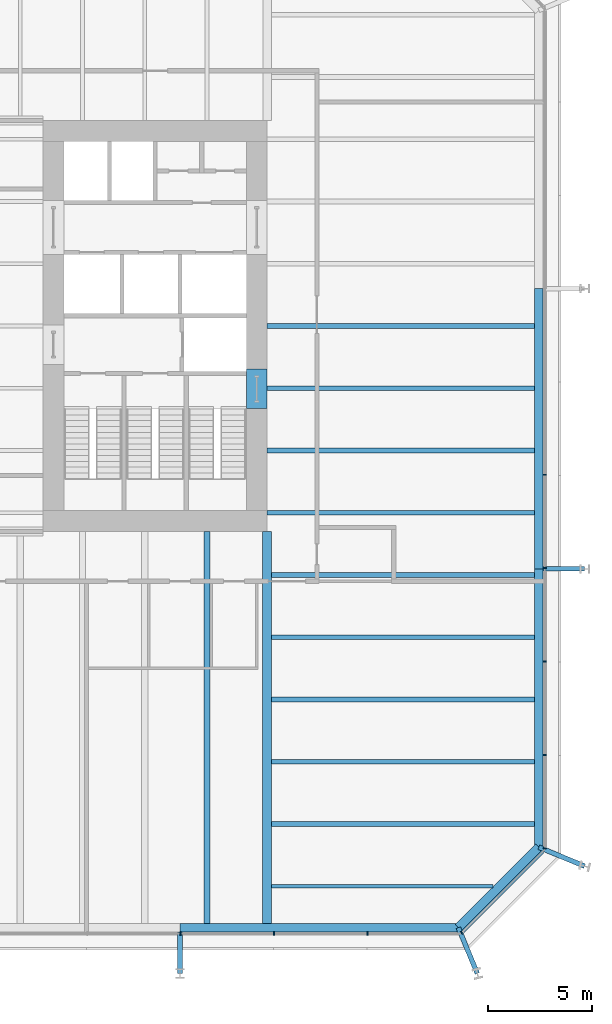
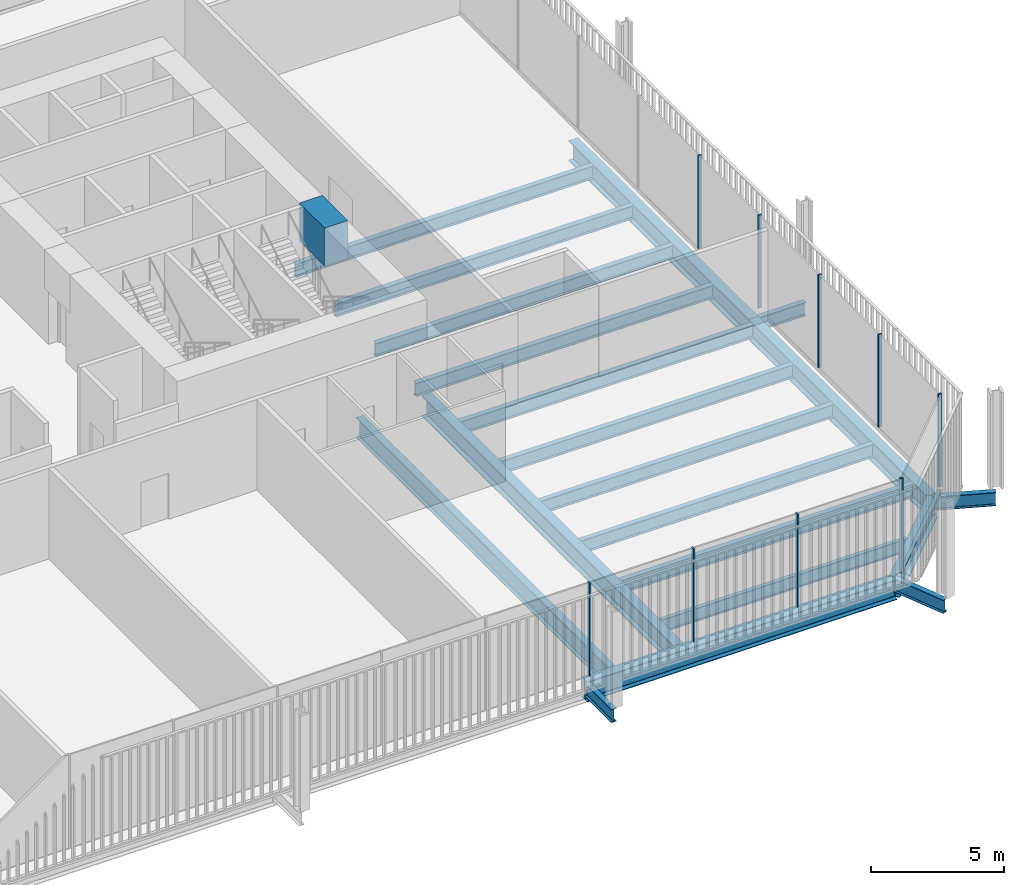
# One storey, part 8 of 20: 21 beams, 10 members, 3 elements without a shape of their own.
"""IFC4 building model written with IfcOpenShell, lengths in metres."""

from ifc_helpers import new_model, si_unit, direction, frame, origin, origin_2d, place, context, subcontext, project, spatial, rectangle, i_section, extrude, material, layer, layer_set, material_profile, profile_set, type_object, element, aggregate, save


model = new_model("IFC4")

# Units and contexts
model_context = context("Model", 3, precision=1e-05, world=origin(), true_north=direction((0.0, 1.0)))
body_context = subcontext(model_context, "Body", "Model", "MODEL_VIEW")
ifc_project = project(units=[si_unit("LENGTHUNIT", "METRE"), si_unit("AREAUNIT", "SQUARE_METRE"), si_unit("VOLUMEUNIT", "CUBIC_METRE"), si_unit("PLANEANGLEUNIT", "RADIAN"), si_unit("MASSUNIT", "GRAM", prefix="KILO")], contexts=[model_context])

# Site, building, storey
site_placement = place(None, origin())
site = spatial("IfcSite", under=ifc_project, at=site_placement, CompositionType="ELEMENT")
building_placement = place(site_placement, origin())
building = spatial("IfcBuilding", under=site, at=building_placement, Name="Millrace Tower", CompositionType="ELEMENT")
storey_placement = place(building_placement, frame((0.0, 0.0, 108.39990234375)))
storey = spatial("IfcBuildingStorey", under=building, at=storey_placement, Name="L24", CompositionType="ELEMENT", Elevation=108.39990234375)

# Curtain wall, members
ifc_material_1 = material(Name="Aluminium and glass", Category="aluminium")
ifc_layer = layer(ifc_material_1, 0.14990234375)
ifc_layer_set = layer_set([ifc_layer], Name="Aluminium and glass")
curtain_wall_type = type_object("IfcCurtainWallType", Name="CW-3 telecom floor curtain wall", PredefinedType="NOTDEFINED", material=ifc_layer_set)
placement = place(storey_placement, origin())
curtain_wall_1 = element("IfcCurtainWall", 1, at=placement, inside=storey, type_object=curtain_wall_type, Name="Curtain wall B-F02 L24", PredefinedType="NOTDEFINED")
ifc_material_2 = material(Name="Aluminium", Category="aluminium")
ifc_material_profile_1 = material_profile(ifc_material_2, rectangle(XDim=0.06494140625, YDim=0.14990234375, at=origin_2d()))
ifc_profile_set_1 = profile_set([ifc_material_profile_1], Name="Aluminium")
member_type_1 = type_object("IfcMemberType", Name="CW-3 telecom floor curtain wall mullion", PredefinedType="MULLION", material=ifc_profile_set_1)
member_1_placement = place(storey_placement, frame((10.732421875, -29.27490234375, 0.150146484375), z_axis=(0.0, 0.0, 1.0), x_axis=(1.0, 0.0, 0.0)))
member_1 = element("IfcMember", 2, at=member_1_placement, type_object=member_type_1, Name="CW3 mullion B-F02.7", PredefinedType="MULLION", context=body_context, shape_type="SweptSolid", body=[
    extrude(rectangle(XDim=0.06494140625, YDim=0.14990234375, at=origin_2d()), origin(), (0.0, 0.0, 1.0), 4.25),
])
member_2_placement = place(storey_placement, frame((15.232421875, -29.27490234375, 0.150146484375), z_axis=(0.0, 0.0, 1.0), x_axis=(1.0, 0.0, 0.0)))
member_2 = element("IfcMember", 3, at=member_2_placement, type_object=member_type_1, Name="CW3 mullion B-F02.8", PredefinedType="MULLION", context=body_context, shape_type="SweptSolid", body=[
    extrude(rectangle(XDim=0.06494140625, YDim=0.14990234375, at=origin_2d()), origin(), (0.0, 0.0, 1.0), 4.25),
])
member_3_placement = place(storey_placement, frame((19.732421875, -29.27490234375, 0.150146484375), z_axis=(0.0, 0.0, 1.0), x_axis=(1.0, 0.0, 0.0)))
member_3 = element("IfcMember", 4, at=member_3_placement, type_object=member_type_1, Name="CW3 mullion B-F02.9", PredefinedType="MULLION", context=body_context, shape_type="SweptSolid", body=[
    extrude(rectangle(XDim=0.06494140625, YDim=0.14990234375, at=origin_2d()), origin(), (0.0, 0.0, 1.0), 4.25),
])
aggregate(curtain_wall_1, [member_1, member_2, member_3])

# Curtain wall, member
curtain_wall_2 = element("IfcCurtainWall", 5, at=placement, inside=storey, type_object=curtain_wall_type, Name="Curtain wall B-F03 L24", PredefinedType="NOTDEFINED")
member_4_placement = place(storey_placement, frame((24.276123046875, -29.22998046875, 0.150146484375), z_axis=(0.0, 0.0, 1.0), x_axis=(0.707106781187, 0.707106781187, 0.0)))
member_4 = element("IfcMember", 6, at=member_4_placement, type_object=member_type_1, Name="CW3 mullion B-F03.1", PredefinedType="MULLION", context=body_context, shape_type="SweptSolid", body=[
    extrude(rectangle(XDim=0.06494140625, YDim=0.14990234375, at=origin_2d()), origin(), (0.0, 0.0, 1.0), 4.25),
])

# Curtain wall, members
curtain_wall_3 = element("IfcCurtainWall", 7, at=placement, inside=storey, type_object=curtain_wall_type, Name="Curtain wall B-F04 L24", PredefinedType="NOTDEFINED")
member_5_placement = place(storey_placement, frame((28.27490234375, -25.16748046875, 0.150146484375), z_axis=(0.0, 0.0, 1.0), x_axis=(0.0, 1.0, 0.0)))
member_5 = element("IfcMember", 8, at=member_5_placement, type_object=member_type_1, Name="CW3 mullion B-F04.1", PredefinedType="MULLION", context=body_context, shape_type="SweptSolid", body=[
    extrude(rectangle(XDim=0.06494140625, YDim=0.14990234375, at=origin_2d()), origin(), (0.0, 0.0, 1.0), 4.25),
])
member_6_placement = place(storey_placement, frame((28.27490234375, -20.66748046875, 0.150146484375), z_axis=(0.0, 0.0, 1.0), x_axis=(0.0, 1.0, 0.0)))
member_6 = element("IfcMember", 9, at=member_6_placement, type_object=member_type_1, Name="CW3 mullion B-F04.2", PredefinedType="MULLION", context=body_context, shape_type="SweptSolid", body=[
    extrude(rectangle(XDim=0.06494140625, YDim=0.14990234375, at=origin_2d()), origin(), (0.0, 0.0, 1.0), 4.25),
])
member_7_placement = place(storey_placement, frame((28.27490234375, -16.16748046875, 0.150146484375), z_axis=(0.0, 0.0, 1.0), x_axis=(0.0, 1.0, 0.0)))
member_7 = element("IfcMember", 10, at=member_7_placement, type_object=member_type_1, Name="CW3 mullion B-F04.3", PredefinedType="MULLION", context=body_context, shape_type="SweptSolid", body=[
    extrude(rectangle(XDim=0.06494140625, YDim=0.14990234375, at=origin_2d()), origin(), (0.0, 0.0, 1.0), 4.25),
])
member_8_placement = place(storey_placement, frame((28.27490234375, -11.66748046875, 0.150146484375), z_axis=(0.0, 0.0, 1.0), x_axis=(0.0, 1.0, 0.0)))
member_8 = element("IfcMember", 11, at=member_8_placement, type_object=member_type_1, Name="CW3 mullion B-F04.4", PredefinedType="MULLION", context=body_context, shape_type="SweptSolid", body=[
    extrude(rectangle(XDim=0.06494140625, YDim=0.14990234375, at=origin_2d()), origin(), (0.0, 0.0, 1.0), 4.25),
])
member_9_placement = place(storey_placement, frame((28.27490234375, -7.16748046875, 0.150146484375), z_axis=(0.0, 0.0, 1.0), x_axis=(0.0, 1.0, 0.0)))
member_9 = element("IfcMember", 12, at=member_9_placement, type_object=member_type_1, Name="CW3 mullion B-F04.5", PredefinedType="MULLION", context=body_context, shape_type="SweptSolid", body=[
    extrude(rectangle(XDim=0.06494140625, YDim=0.14990234375, at=origin_2d()), origin(), (0.0, 0.0, 1.0), 4.25),
])
aggregate(curtain_wall_3, [member_5, member_6, member_7, member_8, member_9])

# Member
ifc_material_3 = material(Name="Aluminium", Category="aluminium")
ifc_material_profile_2 = material_profile(ifc_material_3, rectangle(XDim=0.14990234375, YDim=0.14990234375, at=origin_2d()))
ifc_profile_set_2 = profile_set([ifc_material_profile_2], Name="Aluminium")
member_type_2 = type_object("IfcMemberType", Name="CW-3 telecom floor curtain wall transom", PredefinedType="USERDEFINED", material=ifc_profile_set_2)
member_10_placement = place(storey_placement, frame((24.32373046875, -29.182373046875, 0.0751953125), z_axis=(0.707106781187, 0.707106781187, 0.0), x_axis=(-0.707106781187, 0.707106781187, 0.0)))
member_10 = element("IfcMember", 13, at=member_10_placement, type_object=member_type_2, Name="CW3 transom B-F03.1", ObjectType="TRANSOM", PredefinedType="USERDEFINED", context=body_context, shape_type="SweptSolid", body=[
    extrude(rectangle(XDim=0.14990234375, YDim=0.14990234375, at=origin_2d()), origin(), (0.0, 0.0, 1.0), 5.45703125),
])

aggregate(curtain_wall_2, [member_4, member_10])

# Beams
ifc_material_4 = material(Name="Concrete C80", Category="concrete")
ifc_material_profile_3 = material_profile(ifc_material_4, rectangle(XDim=1.0, YDim=1.75, at=origin_2d()))
ifc_profile_set_3 = profile_set([ifc_material_profile_3], Name="Concrete C80")
beam_type_1 = type_object("IfcBeamType", Name="Coupling beam 1000 x 1750 Concrete C80, 1300 opening", PredefinedType="BEAM", material=ifc_profile_set_3)
beam_1_placement = place(storey_placement, frame((14.39990234375, -2.080078125, 3.275146484375), z_axis=(0.0, -1.0, 0.0), x_axis=(1.0, 0.0, 0.0)))
element("IfcBeam", 14, at=beam_1_placement, inside=storey, type_object=beam_type_1, Name="Coupling beam E L24", PredefinedType="BEAM", context=body_context, shape_type="SweptSolid", body=[
    extrude(rectangle(XDim=1.0, YDim=1.75, at=origin_2d()), origin(), (0.0, 0.0, 1.0), 1.89990234375),
])
ifc_material_5 = material(Name="Steel ASTM A992 Grade 50", Category="steel")
ifc_material_profile_4 = material_profile(ifc_material_5, i_section(OverallWidth=0.1787109375, OverallDepth=0.60205078125, WebThickness=0.010986328125, FlangeThickness=0.014892578125, FilletRadius=0.0126953125, at=origin_2d()))
ifc_profile_set_4 = profile_set([ifc_material_profile_4], Name="Steel ASTM A992 Grade 50")
beam_type_2 = type_object("IfcBeamType", Name="Floor beam W24x62", PredefinedType="JOIST", material=ifc_profile_set_4)
beam_2_placement = place(storey_placement, frame((15.11083984375, -27.0, -0.5009765625), z_axis=(1.0, 0.0, 0.0), x_axis=(0.0, 1.0, 0.0)))
element("IfcBeam", 15, at=beam_2_placement, inside=storey, type_object=beam_type_2, Name="BM-B-L24-S1-S002", PredefinedType="JOIST", context=body_context, shape_type="SweptSolid", body=[
    extrude(i_section(OverallWidth=0.1787109375, OverallDepth=0.60205078125, WebThickness=0.010986328125, FlangeThickness=0.014892578125, FilletRadius=0.0126953125, at=origin_2d()), origin(), (0.0, 0.0, 1.0), 10.67236328125),
])
ifc_material_6 = material(Name="Steel ASTM A992 Grade 50", Category="steel")
ifc_material_profile_5 = material_profile(ifc_material_6, i_section(OverallWidth=0.228271484375, OverallDepth=0.607177734375, WebThickness=0.01123046875, FlangeThickness=0.017333984375, FilletRadius=0.0126953125, at=origin_2d()))
ifc_profile_set_5 = profile_set([ifc_material_profile_5], Name="Steel ASTM A992 Grade 50")
beam_type_3 = type_object("IfcBeamType", Name="Floor beam W24x76", PredefinedType="JOIST", material=ifc_profile_set_5)
for number, where, z_axis, x_axis, name in (
    (16, (15.11083984375, -24.0, -0.50341796875), (1.0, 0.0, 0.0), (0.0, 1.0, 0.0), "BM-B-L24-S1-S004"),
    (17, (15.11083984375, -21.0, -0.50341796875), (1.0, 0.0, 0.0), (0.0, 1.0, 0.0), "BM-B-L24-S1-S006"),
    (18, (15.11083984375, -18.0, -0.50341796875), (1.0, 0.0, 0.0), (0.0, 1.0, 0.0), "BM-B-L24-S1-S008"),
    (19, (15.11083984375, -15.0, -0.50341796875), (1.0, 0.0, 0.0), (0.0, 1.0, 0.0), "BM-B-L24-S1-S010"),
    (20, (15.11083984375, -12.0, -0.50341796875), (1.0, 0.0, 0.0), (0.0, 1.0, 0.0), "BM-B-L24-S1-S012"),
):
    element("IfcBeam", number, at=place(storey_placement, frame(where, z_axis=z_axis, x_axis=x_axis)), inside=storey, type_object=beam_type_3, Name=name, PredefinedType="JOIST", context=body_context, shape_type="SweptSolid", body=[
        extrude(i_section(OverallWidth=0.228271484375, OverallDepth=0.607177734375, WebThickness=0.01123046875, FlangeThickness=0.017333984375, FilletRadius=0.0126953125, at=origin_2d()), origin(), (0.0, 0.0, 1.0), 12.670166015625),
    ])
for number, where, z_axis, x_axis, name in (
    (21, (14.89990234375, -9.0, -0.50341796875), (1.0, 0.0, 0.0), (0.0, 1.0, 0.0), "BM-B-L24-S1-S015"),
    (22, (14.89990234375, -6.0, -0.50341796875), (1.0, 0.0, 0.0), (0.0, 1.0, 0.0), "BM-B-L24-S1-S018"),
    (23, (14.89990234375, -3.0, -0.50341796875), (1.0, 0.0, 0.0), (0.0, 1.0, 0.0), "BM-B-L24-S1-S021"),
    (24, (14.89990234375, 0.0, -0.50341796875), (1.0, 0.0, 0.0), (0.0, 1.0, 0.0), "BM-B-L24-S1-S024"),
):
    element("IfcBeam", number, at=place(storey_placement, frame(where, z_axis=z_axis, x_axis=x_axis)), inside=storey, type_object=beam_type_3, Name=name, PredefinedType="JOIST", context=body_context, shape_type="SweptSolid", body=[
        extrude(i_section(OverallWidth=0.228271484375, OverallDepth=0.607177734375, WebThickness=0.01123046875, FlangeThickness=0.017333984375, FilletRadius=0.0126953125, at=origin_2d()), origin(), (0.0, 0.0, 1.0), 12.881103515625),
    ])
ifc_material_7 = material(Name="Steel ASTM A992 Grade 50", Category="steel")
ifc_material_profile_6 = material_profile(ifc_material_7, i_section(OverallWidth=0.307373046875, OverallDepth=0.927001953125, WebThickness=0.01953125, FlangeThickness=0.031982421875, FilletRadius=0.01904296875, at=origin_2d()))
ifc_profile_set_6 = profile_set([ifc_material_profile_6], Name="Steel ASTM A992 Grade 50")
beam_type_4 = type_object("IfcBeamType", Name="Floor beam W36x194", PredefinedType="JOIST", material=ifc_profile_set_6)
beam_3_placement = place(storey_placement, frame((12.0, -28.781005859375, -0.66357421875), z_axis=(0.0, 1.0, 0.0), x_axis=(-1.0, 0.0, 0.0)))
element("IfcBeam", 25, at=beam_3_placement, inside=storey, type_object=beam_type_4, Name="BM-B-L24-S1-S057", PredefinedType="JOIST", context=body_context, shape_type="SweptSolid", body=[
    extrude(i_section(OverallWidth=0.307373046875, OverallDepth=0.927001953125, WebThickness=0.01953125, FlangeThickness=0.031982421875, FilletRadius=0.01904296875, at=origin_2d()), origin(), (0.0, 0.0, 1.0), 18.881103515625),
])
ifc_material_8 = material(Name="Steel ASTM A992 Grade 50", Category="steel")
ifc_material_profile_7 = material_profile(ifc_material_8, i_section(OverallWidth=0.424072265625, OverallDepth=0.947509765625, WebThickness=0.02392578125, FlangeThickness=0.042724609375, FilletRadius=0.024169921875, at=origin_2d()))
ifc_profile_set_7 = profile_set([ifc_material_profile_7], Name="Steel ASTM A992 Grade 50")
beam_type_5 = type_object("IfcBeamType", Name="Girder medium span W36x302", PredefinedType="BEAM", material=ifc_profile_set_7)
beam_4_placement = place(storey_placement, frame((14.89990234375, -28.781005859375, -0.673583984375), z_axis=(0.0, 1.0, 0.0), x_axis=(-1.0, 0.0, 0.0)))
element("IfcBeam", 26, at=beam_4_placement, inside=storey, type_object=beam_type_5, Name="BM-B-L24-S1-G061", PredefinedType="BEAM", context=body_context, shape_type="SweptSolid", body=[
    extrude(i_section(OverallWidth=0.424072265625, OverallDepth=0.947509765625, WebThickness=0.02392578125, FlangeThickness=0.042724609375, FilletRadius=0.024169921875, at=origin_2d()), origin(), (0.0, 0.0, 1.0), 18.881103515625),
])
ifc_material_9 = material(Name="Steel ASTM A992 Grade 50", Category="steel")
ifc_material_profile_8 = material_profile(ifc_material_9, i_section(OverallWidth=0.23046875, OverallDepth=0.6171875, WebThickness=0.01318359375, FlangeThickness=0.022216796875, FilletRadius=0.012939453125, at=origin_2d()))
ifc_profile_set_8 = profile_set([ifc_material_profile_8], Name="Steel ASTM A992 Grade 50")
beam_type_6 = type_object("IfcBeamType", Name="Link beam W24x94", PredefinedType="BEAM", material=ifc_profile_set_8)
beam_5_placement = place(storey_placement, frame((28.199951171875, -11.699951171875, -0.508544921875), z_axis=(1.0, 0.0, 0.0), x_axis=(0.0, 1.0, 0.0)))
element("IfcBeam", 27, at=beam_5_placement, inside=storey, type_object=beam_type_6, Name="LNK-B-L24-S1-11", PredefinedType="BEAM", context=body_context, shape_type="SweptSolid", body=[
    extrude(i_section(OverallWidth=0.23046875, OverallDepth=0.6171875, WebThickness=0.01318359375, FlangeThickness=0.022216796875, FilletRadius=0.012939453125, at=origin_2d()), origin(), (0.0, 0.0, 1.0), 2.0),
])
for number, where, z_axis, x_axis, name in (
    (28, (27.990478515625, -25.11328125, -0.508544921875), (0.923902368833, -0.382628295954, 0.0), (0.382628295954, 0.923902368833, 0.0), "LNK-B-L24-S1-12"),
    (29, (24.11328125, -28.990478515625, -0.508544921875), (0.382628295954, -0.923902368833, 0.0), (0.923902368833, 0.382628295954, 0.0), "LNK-B-L24-S1-13"),
):
    element("IfcBeam", number, at=place(storey_placement, frame(where, z_axis=z_axis, x_axis=x_axis)), inside=storey, type_object=beam_type_6, Name=name, PredefinedType="BEAM", context=body_context, shape_type="SweptSolid", body=[
        extrude(i_section(OverallWidth=0.23046875, OverallDepth=0.6171875, WebThickness=0.01318359375, FlangeThickness=0.022216796875, FilletRadius=0.012939453125, at=origin_2d()), origin(), (0.0, 0.0, 1.0), 2.391357421875),
    ])
beam_6_placement = place(storey_placement, frame((10.699951171875, -29.199951171875, -0.508544921875), z_axis=(0.0, -1.0, 0.0), x_axis=(1.0, 0.0, 0.0)))
element("IfcBeam", 30, at=beam_6_placement, inside=storey, type_object=beam_type_6, Name="LNK-B-L24-S1-14", PredefinedType="BEAM", context=body_context, shape_type="SweptSolid", body=[
    extrude(i_section(OverallWidth=0.23046875, OverallDepth=0.6171875, WebThickness=0.01318359375, FlangeThickness=0.022216796875, FilletRadius=0.012939453125, at=origin_2d()), origin(), (0.0, 0.0, 1.0), 2.0),
])
ifc_material_10 = material(Name="Steel ASTM A992 Grade 50", Category="steel")
ifc_material_profile_9 = material_profile(ifc_material_10, i_section(OverallWidth=0.419189453125, OverallDepth=0.927001953125, WebThickness=0.019287109375, FlangeThickness=0.031982421875, FilletRadius=0.024169921875, at=origin_2d()))
ifc_profile_set_9 = profile_set([ifc_material_profile_9], Name="Steel ASTM A992 Grade 50")
beam_type_7 = type_object("IfcBeamType", Name="Ring beam medium span W36x231", PredefinedType="SPANDREL", material=ifc_profile_set_9)
beam_7_placement = place(storey_placement, frame((27.990478515625, 1.800048828125, -0.66357421875), z_axis=(0.0, -1.0, 0.0), x_axis=(1.0, 0.0, 0.0)))
element("IfcBeam", 31, at=beam_7_placement, inside=storey, type_object=beam_type_7, Name="RNG-B-L24-S1-10", PredefinedType="SPANDREL", context=body_context, shape_type="SweptSolid", body=[
    extrude(i_section(OverallWidth=0.419189453125, OverallDepth=0.927001953125, WebThickness=0.019287109375, FlangeThickness=0.031982421875, FilletRadius=0.024169921875, at=origin_2d()), origin(), (0.0, 0.0, 1.0), 13.5),
])
for number, where, z_axis, x_axis, name in (
    (32, (27.990478515625, -11.699951171875, -0.66357421875), (0.0, -1.0, 0.0), (1.0, 0.0, 0.0), "RNG-B-L24-S1-11"),
    (33, (24.11328125, -28.990478515625, -0.66357421875), (-1.0, 0.0, 0.0), (0.0, -1.0, 0.0), "RNG-B-L24-S1-13"),
):
    element("IfcBeam", number, at=place(storey_placement, frame(where, z_axis=z_axis, x_axis=x_axis)), inside=storey, type_object=beam_type_7, Name=name, PredefinedType="SPANDREL", context=body_context, shape_type="SweptSolid", body=[
        extrude(i_section(OverallWidth=0.419189453125, OverallDepth=0.927001953125, WebThickness=0.019287109375, FlangeThickness=0.031982421875, FilletRadius=0.024169921875, at=origin_2d()), origin(), (0.0, 0.0, 1.0), 13.413330078125),
    ])
ifc_material_11 = material(Name="Steel ASTM A992 Grade 50", Category="steel")
ifc_material_profile_10 = material_profile(ifc_material_11, i_section(OverallWidth=0.419189453125, OverallDepth=0.927001953125, WebThickness=0.019287109375, FlangeThickness=0.031982421875, FilletRadius=0.024169921875, at=origin_2d()))
ifc_profile_set_10 = profile_set([ifc_material_profile_10], Name="Steel ASTM A992 Grade 50")
beam_type_8 = type_object("IfcBeamType", Name="Ring beam short span W36x231", PredefinedType="SPANDREL", material=ifc_profile_set_10)
beam_8_placement = place(storey_placement, frame((27.990478515625, -25.11328125, -0.66357421875), z_axis=(-0.707106781187, -0.707106781187, 0.0), x_axis=(0.707106781187, -0.707106781187, 0.0)))
element("IfcBeam", 34, at=beam_8_placement, inside=storey, type_object=beam_type_8, Name="RNG-B-L24-S1-12", PredefinedType="SPANDREL", context=body_context, shape_type="SweptSolid", body=[
    extrude(i_section(OverallWidth=0.419189453125, OverallDepth=0.927001953125, WebThickness=0.019287109375, FlangeThickness=0.031982421875, FilletRadius=0.024169921875, at=origin_2d()), origin(), (0.0, 0.0, 1.0), 5.483154296875),
])

save(model, "model.ifc")
